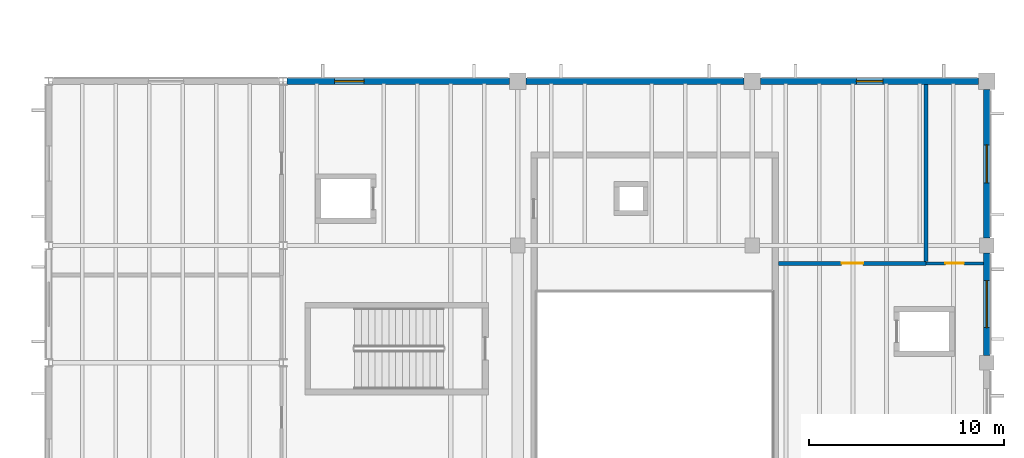
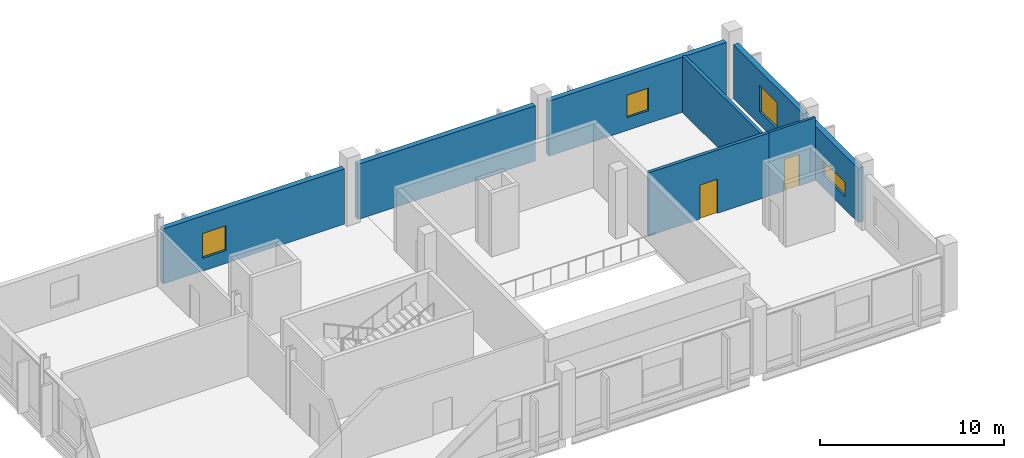
# One storey, part 63 of 78: 8 walls, 4 windows, 2 doors, 6 openings.
"""IFC4 building model written with IfcOpenShell, lengths in metres."""

from ifc_helpers import new_model, si_unit, direction, frame, frame_2d, origin, place, context, subcontext, project, spatial, rectangle, extrude, material, layer, layer_set, type_object, element, fill, save


model = new_model("IFC4")

# Units and contexts
model_context = context("Model", 3, precision=1e-05, world=origin(), true_north=direction((0.0, 1.0)))
body_context = subcontext(model_context, "Body", "Model", "MODEL_VIEW")
ifc_project = project(units=[si_unit("LENGTHUNIT", "METRE"), si_unit("AREAUNIT", "SQUARE_METRE"), si_unit("VOLUMEUNIT", "CUBIC_METRE"), si_unit("PLANEANGLEUNIT", "RADIAN"), si_unit("MASSUNIT", "GRAM", prefix="KILO")], contexts=[model_context])

# Site, building, storey
site_placement = place(None, origin())
site = spatial("IfcSite", under=ifc_project, at=site_placement, CompositionType="ELEMENT")
building_placement = place(site_placement, origin())
building = spatial("IfcBuilding", under=site, at=building_placement, Name="Kelmvaro Bay Concert Hall", CompositionType="ELEMENT")
storey_placement = place(building_placement, frame((0.0, 0.0, 9.300048828125)))
storey = spatial("IfcBuildingStorey", under=building, at=storey_placement, Name="L02", CompositionType="ELEMENT", Elevation=9.300048828125)

# Wall, opening, window
ifc_material_1 = material(Name="Precast Concrete C40/50", Category="concrete")
ifc_layer_1 = layer(ifc_material_1, 0.320068359375)
ifc_layer_set_1 = layer_set([ifc_layer_1], Name="Precast Concrete C40/50")
wall_type_1 = type_object("IfcWallType", Name="Chamber Pavilion Precast Wall 320", PredefinedType="SOLIDWALL", material=ifc_layer_set_1)
wall_1_placement = place(storey_placement, frame((132.200439453125, 97.199951171875, 0.0), z_axis=(0.0, 0.0, 1.0), x_axis=(1.0, 0.0, 0.0)))
wall_1 = element("IfcWall", 1, at=wall_1_placement, inside=storey, type_object=wall_type_1, Name="L02 Exterior Wall EW-L02-0138", PredefinedType="SOLIDWALL", context=body_context, shape_type="SweptSolid", body=[
    extrude(rectangle(XDim=11.37451171875, YDim=0.320068359375, at=frame_2d((5.687255859375, 0.0))), origin(), (0.0, 0.0, 1.0), 3.6640625),
])
opening_1_placement = place(wall_1_placement, frame((2.434814453125, 0.0, 0.85009765625)))
opening_1 = element("IfcOpeningElement", 2, at=opening_1_placement, cuts=wall_1, Name="Opening WN-04", PredefinedType="OPENING", context=body_context, shape_type="SweptSolid", body=[
    extrude(rectangle(XDim=1.5, YDim=1.64990234375, at=frame_2d((0.75, 0.824951171875))), frame((0.0, 0.169921875, 0.0), z_axis=(0.0, -1.0, 0.0), x_axis=(1.0, 0.0, 0.0)), (0.0, 0.0, 1.0), 0.340087890625),
])
ifc_material_2 = material(Name="Thermally Broken Aluminium and Acoustic Low-E Glass", Category="aluminium")
window_type_1 = type_object("IfcWindowType", Name="Practice Studio Acoustic Window 1500x1650", PartitioningType="SINGLE_PANEL", PredefinedType="WINDOW", material=ifc_material_2)
window_1_placement = place(opening_1_placement, origin())
window_1 = element("IfcWindow", 3, at=window_1_placement, inside=storey, type_object=window_type_1, Name="L02 Facade Window WN-L02-0059", OverallHeight=1.64990234375, OverallWidth=1.5, PartitioningType="SINGLE_PANEL", PredefinedType="WINDOW", context=body_context, shape_type="SweptSolid", body=[
    extrude(rectangle(XDim=1.5, YDim=1.64990234375, at=frame_2d((0.75, 0.824951171875))), frame((0.0, 0.030029296875, 0.0), z_axis=(0.0, -1.0, 0.0), x_axis=(1.0, 0.0, 0.0)), (0.0, 0.0, 1.0), 0.06005859375),
])
fill(opening_1, window_1)

# Wall
wall_2_placement = place(storey_placement, frame((144.425048828125, 97.199951171875, 0.0), z_axis=(0.0, 0.0, 1.0), x_axis=(1.0, 0.0, 0.0)))
element("IfcWall", 4, at=wall_2_placement, inside=storey, type_object=wall_type_1, Name="L02 Exterior Wall EW-L02-0139", PredefinedType="SOLIDWALL", context=body_context, shape_type="SweptSolid", body=[
    extrude(rectangle(XDim=11.14990234375, YDim=0.320068359375, at=frame_2d((5.574951171875, 0.0))), origin(), (0.0, 0.0, 1.0), 3.6640625),
])

# Wall, opening, window
wall_3_placement = place(storey_placement, frame((156.425048828125, 97.199951171875, 0.0), z_axis=(0.0, 0.0, 1.0), x_axis=(1.0, 0.0, 0.0)))
wall_3 = element("IfcWall", 5, at=wall_3_placement, inside=storey, type_object=wall_type_1, Name="L02 Exterior Wall EW-L02-0140", PredefinedType="SOLIDWALL", context=body_context, shape_type="SweptSolid", body=[
    extrude(rectangle(XDim=11.14990234375, YDim=0.320068359375, at=frame_2d((5.574951171875, 0.0))), origin(), (0.0, 0.0, 1.0), 3.6640625),
])
opening_2_placement = place(wall_3_placement, frame((4.89990234375, 0.0, 0.85009765625)))
opening_2 = element("IfcOpeningElement", 6, at=opening_2_placement, cuts=wall_3, Name="Opening WN-05", PredefinedType="OPENING", context=body_context, shape_type="SweptSolid", body=[
    extrude(rectangle(XDim=1.35009765625, YDim=1.5, at=frame_2d((0.675048828125, 0.75))), frame((0.0, 0.169921875, 0.0), z_axis=(0.0, -1.0, 0.0), x_axis=(1.0, 0.0, 0.0)), (0.0, 0.0, 1.0), 0.340087890625),
])
ifc_material_3 = material(Name="Thermally Broken Aluminium and Acoustic Low-E Glass", Category="aluminium")
window_type_2 = type_object("IfcWindowType", Name="Dressing Suite Daylight Window 1350x1500", PartitioningType="SINGLE_PANEL", PredefinedType="WINDOW", material=ifc_material_3)
window_2_placement = place(opening_2_placement, origin())
window_2 = element("IfcWindow", 7, at=window_2_placement, inside=storey, type_object=window_type_2, Name="L02 Facade Window WN-L02-0060", OverallHeight=1.5, OverallWidth=1.35009765625, PartitioningType="SINGLE_PANEL", PredefinedType="WINDOW", context=body_context, shape_type="SweptSolid", body=[
    extrude(rectangle(XDim=1.35009765625, YDim=1.5, at=frame_2d((0.675048828125, 0.75))), frame((0.0, 0.030029296875, 0.0), z_axis=(0.0, -1.0, 0.0), x_axis=(1.0, 0.0, 0.0)), (0.0, 0.0, 1.0), 0.06005859375),
])
fill(opening_2, window_2)

wall_4_placement = place(storey_placement, frame((168.0, 88.425048828125, 0.0), z_axis=(0.0, 0.0, 1.0), x_axis=(0.0, -1.0, 0.0)))
wall_4 = element("IfcWall", 8, at=wall_4_placement, inside=storey, type_object=wall_type_1, Name="L02 Exterior Wall EW-L02-0144", PredefinedType="SOLIDWALL", context=body_context, shape_type="SweptSolid", body=[
    extrude(rectangle(XDim=5.25, YDim=0.320068359375, at=frame_2d((2.625, 0.0))), origin(), (0.0, 0.0, 1.0), 3.587890625),
])
opening_3_placement = place(wall_4_placement, frame((1.425048828125, 0.0, 0.85009765625)))
opening_3 = element("IfcOpeningElement", 9, at=opening_3_placement, cuts=wall_4, Name="Opening WN-09", PredefinedType="OPENING", context=body_context, shape_type="SweptSolid", body=[
    extrude(rectangle(XDim=2.39990234375, YDim=0.949951171875, at=frame_2d((1.199951171875, 0.47509765625))), frame((0.0, 0.169921875, 0.0), z_axis=(0.0, -1.0, 0.0), x_axis=(1.0, 0.0, 0.0)), (0.0, 0.0, 1.0), 0.340087890625),
])
ifc_material_4 = material(Name="Thermally Broken Aluminium and Acoustic Low-E Glass", Category="aluminium")
window_type_3 = type_object("IfcWindowType", Name="Archive Clerestory Window 2400x950", PartitioningType="SINGLE_PANEL", PredefinedType="WINDOW", material=ifc_material_4)
window_3_placement = place(opening_3_placement, origin())
window_3 = element("IfcWindow", 10, at=window_3_placement, inside=storey, type_object=window_type_3, Name="L02 Facade Window WN-L02-0064", OverallHeight=0.949951171875, OverallWidth=2.39990234375, PartitioningType="SINGLE_PANEL", PredefinedType="WINDOW", context=body_context, shape_type="SweptSolid", body=[
    extrude(rectangle(XDim=2.39990234375, YDim=0.949951171875, at=frame_2d((1.199951171875, 0.47509765625))), frame((0.0, 0.030029296875, 0.0), z_axis=(0.0, -1.0, 0.0), x_axis=(1.0, 0.0, 0.0)), (0.0, 0.0, 1.0), 0.06005859375),
])
fill(opening_3, window_3)

wall_5_placement = place(storey_placement, frame((168.0, 96.77490234375, 0.0), z_axis=(0.0, 0.0, 1.0), x_axis=(0.0, -1.0, 0.0)))
wall_5 = element("IfcWall", 11, at=wall_5_placement, inside=storey, type_object=wall_type_1, Name="L02 Exterior Wall EW-L02-0146", PredefinedType="SOLIDWALL", context=body_context, shape_type="SweptSolid", body=[
    extrude(rectangle(XDim=7.599853515625, YDim=0.320068359375, at=frame_2d((3.7998046875, 0.0))), origin(), (0.0, 0.0, 1.0), 3.587890625),
])
opening_4_placement = place(wall_5_placement, frame((2.824951171875, 0.0, 0.85009765625)))
opening_4 = element("IfcOpeningElement", 12, at=opening_4_placement, cuts=wall_5, Name="Opening WN-11", PredefinedType="OPENING", context=body_context, shape_type="SweptSolid", body=[
    extrude(rectangle(XDim=1.949951171875, YDim=1.75, at=frame_2d((0.97509765625, 0.875))), frame((0.0, 0.169921875, 0.0), z_axis=(0.0, -1.0, 0.0), x_axis=(1.0, 0.0, 0.0)), (0.0, 0.0, 1.0), 0.340087890625),
])
ifc_material_5 = material(Name="Thermally Broken Aluminium and Acoustic Low-E Glass", Category="aluminium")
window_type_4 = type_object("IfcWindowType", Name="Administration View Window 1950x1750", PartitioningType="SINGLE_PANEL", PredefinedType="WINDOW", material=ifc_material_5)
window_4_placement = place(opening_4_placement, origin())
window_4 = element("IfcWindow", 13, at=window_4_placement, inside=storey, type_object=window_type_4, Name="L02 Facade Window WN-L02-0066", OverallHeight=1.75, OverallWidth=1.949951171875, PartitioningType="SINGLE_PANEL", PredefinedType="WINDOW", context=body_context, shape_type="SweptSolid", body=[
    extrude(rectangle(XDim=1.949951171875, YDim=1.75, at=frame_2d((0.97509765625, 0.875))), frame((0.0, 0.030029296875, 0.0), z_axis=(0.0, -1.0, 0.0), x_axis=(1.0, 0.0, 0.0)), (0.0, 0.0, 1.0), 0.06005859375),
])
fill(opening_4, window_4)

# Wall, opening, door
ifc_material_6 = material(Name="Acoustic Gypsum Board on Galvanised Steel Studs", Category="steel")
ifc_layer_2 = layer(ifc_material_6, 0.199951171875)
ifc_layer_set_2 = layer_set([ifc_layer_2], Name="Acoustic Gypsum Board on Galvanised Steel Studs")
wall_type_2 = type_object("IfcWallType", Name="Double-Stud Acoustic Studio Partition 200", PredefinedType="PARTITIONING", material=ifc_layer_set_2)
wall_6_placement = place(storey_placement, frame((157.344970703125, 87.8798828125, 0.0), z_axis=(0.0, 0.0, 1.0), x_axis=(1.0, 0.0, 0.0)))
wall_6 = element("IfcWall", 14, at=wall_6_placement, inside=storey, type_object=wall_type_2, Name="L02 Interior Partition PT-L02-0228", PredefinedType="PARTITIONING", context=body_context, shape_type="SweptSolid", body=[
    extrude(rectangle(XDim=7.5400390625, YDim=0.199951171875, at=frame_2d((3.77001953125, 0.0))), origin(), (0.0, 0.0, 1.0), 4.199951171875),
])
opening_5_placement = place(wall_6_placement, frame((3.219970703125, 0.0, 0.0)))
opening_5 = element("IfcOpeningElement", 15, at=opening_5_placement, cuts=wall_6, Name="Opening ID-AC5", PredefinedType="OPENING", context=body_context, shape_type="SweptSolid", body=[
    extrude(rectangle(XDim=1.10009765625, YDim=2.260009765625, at=frame_2d((0.550048828125, 1.1298828125))), frame((0.0, 0.10986328125, 0.0), z_axis=(0.0, -1.0, 0.0), x_axis=(1.0, 0.0, 0.0)), (0.0, 0.0, 1.0), 0.219970703125),
])
ifc_material_7 = material(Name="Acoustic Laminated Steel Core", Category="steel")
door_type_1 = type_object("IfcDoorType", Name="Studio Sound-Lock Heavy Door 1100x2260", OperationType="NOTDEFINED", PredefinedType="DOOR", material=ifc_material_7)
door_1_placement = place(opening_5_placement, origin())
door_1 = element("IfcDoor", 16, at=door_1_placement, inside=storey, type_object=door_type_1, Name="L02 Interior Door DR-INT-L02-0136", OperationType="SINGLE_SWING_RIGHT", OverallHeight=2.260009765625, OverallWidth=1.10009765625, PredefinedType="DOOR", context=body_context, shape_type="SweptSolid", body=[
    extrude(rectangle(XDim=1.10009765625, YDim=2.260009765625, at=frame_2d((0.550048828125, 1.1298828125))), frame((0.0, 0.02490234375, 0.0), z_axis=(0.0, -1.0, 0.0), x_axis=(1.0, 0.0, 0.0)), (0.0, 0.0, 1.0), 0.050048828125),
])
fill(opening_5, door_1)

# Wall
wall_7_placement = place(storey_placement, frame((164.8798828125, 87.989990234375, 0.0), z_axis=(0.0, 0.0, 1.0), x_axis=(0.0, 1.0, 0.0)))
element("IfcWall", 17, at=wall_7_placement, inside=storey, type_object=wall_type_2, Name="L02 Interior Partition PT-L02-0230", PredefinedType="PARTITIONING", context=body_context, shape_type="SweptSolid", body=[
    extrude(rectangle(XDim=9.0400390625, YDim=0.199951171875, at=frame_2d((4.52001953125, 0.0))), origin(), (0.0, 0.0, 1.0), 3.742919921875),
])

# Wall, opening, door
ifc_material_8 = material(Name="Acoustic Gypsum Board on Galvanised Steel Studs", Category="steel")
ifc_layer_3 = layer(ifc_material_8, 0.14990234375)
ifc_layer_set_3 = layer_set([ifc_layer_3], Name="Acoustic Gypsum Board on Galvanised Steel Studs")
wall_type_3 = type_object("IfcWallType", Name="Wet Area Moisture-Resistant Partition 150", PredefinedType="PARTITIONING", material=ifc_layer_set_3)
wall_8_placement = place(storey_placement, frame((164.875, 87.8798828125, 0.0), z_axis=(0.0, 0.0, 1.0), x_axis=(1.0, 0.0, 0.0)))
wall_8 = element("IfcWall", 18, at=wall_8_placement, inside=storey, type_object=wall_type_3, Name="L02 Interior Partition PT-L02-0229", PredefinedType="PARTITIONING", context=body_context, shape_type="SweptSolid", body=[
    extrude(rectangle(XDim=2.955078125, YDim=0.14990234375, at=frame_2d((1.4775390625, 0.0))), origin(), (0.0, 0.0, 1.0), 4.199951171875),
])
opening_6_placement = place(wall_8_placement, frame((1.007568359375, 0.0, 0.0)))
opening_6 = element("IfcOpeningElement", 19, at=opening_6_placement, cuts=wall_8, Name="Opening ID-WC1", PredefinedType="OPENING", context=body_context, shape_type="SweptSolid", body=[
    extrude(rectangle(XDim=0.93994140625, YDim=2.10009765625, at=frame_2d((0.469970703125, 1.050048828125))), frame((0.0, 0.0849609375, 0.0), z_axis=(0.0, -1.0, 0.0), x_axis=(1.0, 0.0, 0.0)), (0.0, 0.0, 1.0), 0.169921875),
])
ifc_material_9 = material(Name="High-Pressure Laminate Core")
door_type_2 = type_object("IfcDoorType", Name="Accessible Restroom Door 940x2100", OperationType="NOTDEFINED", PredefinedType="DOOR", material=ifc_material_9)
door_2_placement = place(opening_6_placement, origin())
door_2 = element("IfcDoor", 20, at=door_2_placement, inside=storey, type_object=door_type_2, Name="L02 Interior Door DR-INT-L02-0137", OperationType="SINGLE_SWING_LEFT", OverallHeight=2.10009765625, OverallWidth=0.93994140625, PredefinedType="DOOR", context=body_context, shape_type="SweptSolid", body=[
    extrude(rectangle(XDim=0.93994140625, YDim=2.10009765625, at=frame_2d((0.469970703125, 1.050048828125))), frame((0.0, 0.02490234375, 0.0), z_axis=(0.0, -1.0, 0.0), x_axis=(1.0, 0.0, 0.0)), (0.0, 0.0, 1.0), 0.050048828125),
])
fill(opening_6, door_2)

save(model, "model.ifc")
